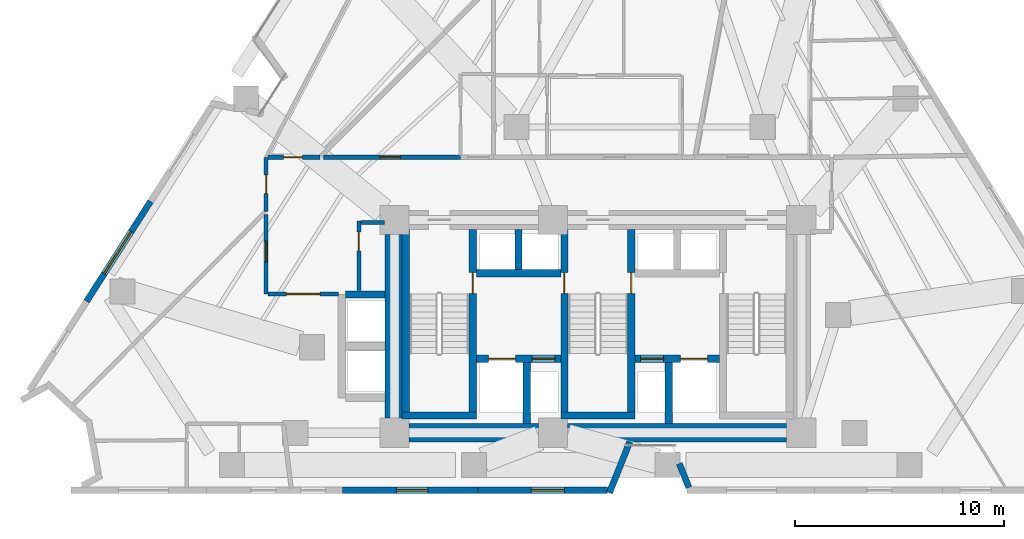
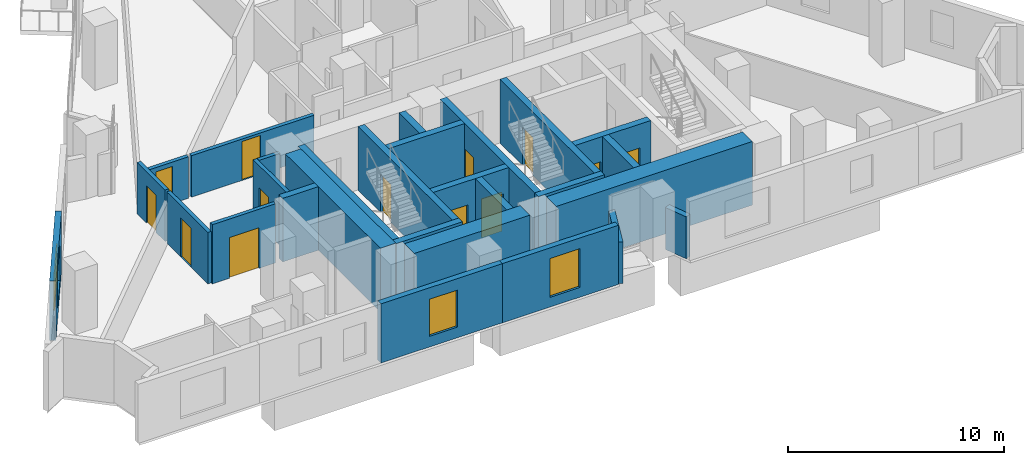
# One storey, part 6 of 13: 28 walls, 13 doors, 3 windows, 16 openings.
"""IFC4 building model written with IfcOpenShell, lengths in metres."""

import ifcopenshell
import ifcopenshell.guid

model = None  # the IFC model being written
_history = None  # IfcOwnerHistory: only IFC2X3 demands one
_inside = {}  # id of a spatial element -> (the spatial element, [elements in it])
_under = {}  # id of a project, library or spatial element -> (it, [spatial elements below it])
_declared = {}  # id of a project -> (the project, [libraries it declares])
_typed = {}  # id of a type object -> (the type object, [elements of that type])
_made_of = {}  # id of a material, layer set ... -> (it, [elements and type objects made of it])


def new_model(schema):
    """Start an empty IFC model of exactly this schema.

    Asked for "IFC4X3", IfcOpenShell would pick the latest addendum, in which some entities
    have other attributes; the version numbers below select the first issue.
    IFC2X3 requires an IfcOwnerHistory on every rooted entity: one is made here for all.
    """
    global model, _history
    if schema == "IFC4X3":
        model = ifcopenshell.file(schema_version=(4, 3, 0, 0))
    else:
        model = ifcopenshell.file(schema=schema)
    _inside.clear()
    _under.clear()
    _declared.clear()
    _typed.clear()
    _made_of.clear()
    _history = None
    if model.schema == "IFC2X3":
        org = make("IfcOrganization", Name="unknown")
        user = make(
            "IfcPersonAndOrganization",
            ThePerson=make("IfcPerson", FamilyName="unknown"),
            TheOrganization=org,
        )
        app = make(
            "IfcApplication",
            ApplicationDeveloper=org,
            Version="unknown",
            ApplicationFullName="unknown",
            ApplicationIdentifier="unknown",
        )
        _history = make(
            "IfcOwnerHistory",
            OwningUser=user,
            OwningApplication=app,
            ChangeAction="ADDED",
            CreationDate=0,
        )
    return model


def make(cls, **values):
    """One entity of the class cls with the attributes given. An attribute that is None is left unset."""
    return model.create_entity(
        cls, **{name: value for name, value in values.items() if value is not None}
    )


def rooted(cls, **values):
    """An entity with a GlobalId (a new one), such as an element, a storey or a relation."""
    return make(cls, GlobalId=ifcopenshell.guid.new(), OwnerHistory=_history, **values)


def si_unit(unit_type, name, prefix=None):
    """IfcSIUnit, for example si_unit("LENGTHUNIT", "METRE", prefix="MILLI")."""
    return make("IfcSIUnit", UnitType=unit_type, Prefix=prefix, Name=name)


def assignment(units):
    """IfcUnitAssignment: the units of a project."""
    return None if units is None else make("IfcUnitAssignment", Units=units)


def point(xyz):
    """IfcCartesianPoint."""
    return None if xyz is None else make("IfcCartesianPoint", Coordinates=xyz)


def direction(xyz):
    """IfcDirection."""
    return None if xyz is None else make("IfcDirection", DirectionRatios=xyz)


def frame(location, z_axis=None, x_axis=None):
    """IfcAxis2Placement3D, a coordinate frame: its origin and axes. An axis left out is left unset."""
    return make(
        "IfcAxis2Placement3D",
        Location=point(location),
        Axis=direction(z_axis),
        RefDirection=direction(x_axis),
    )


def frame_2d(location, x_axis=None):
    """IfcAxis2Placement2D, a coordinate frame in the plane: its origin and x axis."""
    return make(
        "IfcAxis2Placement2D", Location=point(location), RefDirection=direction(x_axis)
    )


def origin():
    """The frame at (0, 0, 0) with its axes left unset."""
    return frame((0.0, 0.0, 0.0))


def place(relative_to, where):
    """IfcLocalPlacement: puts the frame where relative to a parent placement (None: the world)."""
    return make(
        "IfcLocalPlacement", PlacementRelTo=relative_to, RelativePlacement=where
    )


def context(
    kind, dimensions, precision=None, world=None, true_north=None, identifier=None
):
    """IfcGeometricRepresentationContext, for example the 3D "Model" context."""
    return make(
        "IfcGeometricRepresentationContext",
        ContextIdentifier=identifier,
        ContextType=kind,
        CoordinateSpaceDimension=dimensions,
        Precision=precision,
        WorldCoordinateSystem=world,
        TrueNorth=true_north,
    )


def subcontext(parent, identifier, kind, view, scale=None):
    """IfcGeometricRepresentationSubContext, for example "Body" below "Model"."""
    return make(
        "IfcGeometricRepresentationSubContext",
        ContextIdentifier=identifier,
        ContextType=kind,
        ParentContext=parent,
        TargetScale=scale,
        TargetView=view,
    )


def project(units=None, contexts=None):
    """IfcProject with its units and contexts."""
    return rooted(
        "IfcProject",
        Name="project",
        RepresentationContexts=contexts,
        UnitsInContext=assignment(units),
    )


def spatial(cls, under=None, at=None, **own):
    """A site, building, storey or space (cls), placed at a placement, below another one or the project."""
    s = rooted(cls, ObjectPlacement=at, **own)
    if under is not None:
        _under.setdefault(under.id(), (under, []))[1].append(s)
    return s


def profile(cls, at=None, kind="AREA", **sizes):
    """A parametric profile (cls). Its sizes go by their IFC names, for example OverallWidth=200.0."""
    return make(cls, ProfileType=kind, Position=at, **sizes)


def rectangle(**sizes):
    """IfcRectangleProfileDef."""
    return profile("IfcRectangleProfileDef", **sizes)


def extrude(swept, where, along, depth):
    """IfcExtrudedAreaSolid: the profile swept, set in the frame where, extruded along a direction by depth."""
    return make(
        "IfcExtrudedAreaSolid",
        SweptArea=swept,
        Position=where,
        ExtrudedDirection=direction(along),
        Depth=depth,
    )


def shape(context_of_items, identifier, shape_type, items):
    """IfcShapeRepresentation: the items that make up one representation, for example the "Body"."""
    return make(
        "IfcShapeRepresentation",
        ContextOfItems=context_of_items,
        RepresentationIdentifier=identifier,
        RepresentationType=shape_type,
        Items=items,
    )


def material(Name=None, Category=None):
    """IfcMaterial."""
    return make("IfcMaterial", Name=Name, Category=Category)


def layer(
    of_material, thickness, ventilated=None, Name=None, Category=None, Priority=None
):
    """IfcMaterialLayer: one layer of a wall or slab, of a material (None: an air gap)."""
    return make(
        "IfcMaterialLayer",
        Material=of_material,
        LayerThickness=thickness,
        IsVentilated=ventilated,
        Name=Name,
        Category=Category,
        Priority=Priority,
    )


def layer_set(layers, Name=None):
    """IfcMaterialLayerSet."""
    return make("IfcMaterialLayerSet", MaterialLayers=layers, LayerSetName=Name)


def made_of(thing, what):
    """Note that an element or type object is made of a material, layer set ...; save() writes the relation."""
    if what is not None:
        _made_of.setdefault(what.id(), (what, []))[1].append(thing)
    return thing


def type_object(cls, material=None, **own):
    """A type object (cls), such as IfcWallType, which elements share."""
    return made_of(rooted(cls, **own), material)


def element(
    cls,
    number,
    at=None,
    inside=None,
    cuts=None,
    type_object=None,
    material=None,
    context=None,
    identifier="Body",
    shape_type=None,
    held_by="IfcProductDefinitionShape",
    body=None,
    shapes=None,
    **own,
):
    """One element of the class cls, such as IfcWall. Its Tag is "e" and its number.

    at: its placement. inside: the storey or other place that contains it. cuts: it is an
    opening in that element (IfcRelVoidsElement). A single representation is given by context,
    identifier, shape_type and body (its items); several are given by shapes. held_by: the class
    of the entity that holds the representations. save() writes the other relations.
    """
    e = rooted(cls, Tag="e%d" % number, ObjectPlacement=at, **own)
    if body is not None:
        shapes = [shape(context, identifier, shape_type, body)]
    if shapes is not None:
        e.Representation = make(held_by, Representations=shapes)
    if inside is not None:
        _inside.setdefault(inside.id(), (inside, []))[1].append(e)
    if cuts is not None:
        rooted(
            "IfcRelVoidsElement", RelatingBuildingElement=cuts, RelatedOpeningElement=e
        )
    if type_object is not None:
        _typed.setdefault(type_object.id(), (type_object, []))[1].append(e)
    return made_of(e, material)


def fill(opening, filler):
    """IfcRelFillsElement: the door or window that sits in an opening."""
    return rooted(
        "IfcRelFillsElement",
        RelatingOpeningElement=opening,
        RelatedBuildingElement=filler,
    )


def aggregate(whole, parts):
    """IfcRelAggregates: a whole, such as a stair, and the parts it consists of."""
    return rooted("IfcRelAggregates", RelatingObject=whole, RelatedObjects=parts)


def save(model, path):
    """Write the relations noted so far, then the file.

    IfcRelAggregates (storeys below a building ...), IfcRelContainedInSpatialStructure (elements
    in a storey), IfcRelDefinesByType, IfcRelAssociatesMaterial and IfcRelDeclares: one each for
    every whole, place, type object, material and project.
    """
    for whole, parts in _under.values():
        aggregate(whole, parts)
    for where, things in _inside.values():
        rooted(
            "IfcRelContainedInSpatialStructure",
            RelatedElements=things,
            RelatingStructure=where,
        )
    for kind, things in _typed.values():
        rooted("IfcRelDefinesByType", RelatedObjects=things, RelatingType=kind)
    for what, things in _made_of.values():
        rooted("IfcRelAssociatesMaterial", RelatedObjects=things, RelatingMaterial=what)
    for by, libraries in _declared.values():
        rooted("IfcRelDeclares", RelatingContext=by, RelatedDefinitions=libraries)
    model.write(path)


model = new_model("IFC4")

# Units and contexts
model_context = context("Model", 3, precision=1e-05, world=origin(), true_north=direction((0.0, 1.0)))
body_context = subcontext(model_context, "Body", "Model", "MODEL_VIEW")
ifc_project = project(units=[si_unit("LENGTHUNIT", "METRE"), si_unit("AREAUNIT", "SQUARE_METRE"), si_unit("VOLUMEUNIT", "CUBIC_METRE"), si_unit("PLANEANGLEUNIT", "RADIAN"), si_unit("MASSUNIT", "GRAM", prefix="KILO")], contexts=[model_context])

# Site, building, storey
site_placement = place(None, origin())
site = spatial("IfcSite", under=ifc_project, at=site_placement, CompositionType="ELEMENT")
building_placement = place(site_placement, origin())
building = spatial("IfcBuilding", under=site, at=building_placement, Name="Almagre Mirador Tower", CompositionType="ELEMENT")
storey_placement = place(building_placement, frame((0.0, 0.0, 75.0)))
storey = spatial("IfcBuildingStorey", under=building, at=storey_placement, Name="L18", CompositionType="ELEMENT", Elevation=75.0)

# Walls
ifc_material_1 = material(Name="Precast concrete C50/60", Category="concrete")
ifc_layer_1 = layer(ifc_material_1, 0.300048828125)
ifc_layer_set_1 = layer_set([ifc_layer_1], Name="Precast concrete C50/60")
wall_type_1 = type_object("IfcWallType", Name="WAL-EXT-300", PredefinedType="SOLIDWALL", material=ifc_layer_set_1)
wall_1_placement = place(storey_placement, frame((41.658203125, 1.92529296875, 0.0), z_axis=(0.0, 0.0, 1.0), x_axis=(-0.369583004586, 0.929197719929, 0.0)))
element("IfcWall", 1, at=wall_1_placement, inside=storey, type_object=wall_type_1, Name="L18 expressed almagre precast frame wall 25", PredefinedType="SOLIDWALL", context=body_context, shape_type="SweptSolid", body=[
    extrude(rectangle(XDim=1.234619140625, YDim=0.300048828125, at=frame_2d((0.6171875, 0.0))), origin(), (0.0, 0.0, 1.0), 2.375),
])
wall_2_placement = place(storey_placement, frame((38.83251953125, 4.124755859375, 0.0), z_axis=(0.0, 0.0, 1.0), x_axis=(-0.369557636099, -0.929207809696, 0.0)))
element("IfcWall", 2, at=wall_2_placement, inside=storey, type_object=wall_type_1, Name="L18 expressed almagre precast frame wall 26", PredefinedType="SOLIDWALL", context=body_context, shape_type="SweptSolid", body=[
    extrude(rectangle(XDim=2.641845703125, YDim=0.300048828125, at=frame_2d((1.32080078125, 0.0))), origin(), (0.0, 0.0, 1.0), 2.35009765625),
])

# Wall, opening, window
wall_3_placement = place(storey_placement, frame((37.77294921875, 1.800048828125, 0.0), z_axis=(0.0, 0.0, 1.0), x_axis=(-1.0, 0.0, 0.0)))
wall_3 = element("IfcWall", 3, at=wall_3_placement, inside=storey, type_object=wall_type_1, Name="L18 expressed almagre precast frame wall 27", PredefinedType="SOLIDWALL", context=body_context, shape_type="SweptSolid", body=[
    extrude(rectangle(XDim=6.221923828125, YDim=0.300048828125, at=frame_2d((3.11083984375, 0.0))), origin(), (0.0, 0.0, 1.0), 3.35009765625),
])
opening_1_placement = place(wall_3_placement, frame((2.074951171875, 0.0, 0.550048828125)))
opening_1 = element("IfcOpeningElement", 4, at=opening_1_placement, cuts=wall_3, Name="Opening WN-06", PredefinedType="OPENING", context=body_context, shape_type="SweptSolid", body=[
    extrude(rectangle(XDim=1.60009765625, YDim=2.199951171875, at=frame_2d((0.800048828125, 1.10009765625))), frame((0.0, 0.159902, 0.0), z_axis=(0.0, -1.0, 0.0), x_axis=(1.0, 0.0, 0.0)), (0.0, 0.0, 1.0), 0.320049),
])
ifc_material_2 = material(Name="Dark solar-control laminated hurricane glass", Category="glass")
window_type_1 = type_object("IfcWindowType", Name="WIN-1600X2200", PartitioningType="DOUBLE_PANEL_VERTICAL", PredefinedType="WINDOW", material=ifc_material_2)
window_1_placement = place(opening_1_placement, origin())
window_1 = element("IfcWindow", 5, at=window_1_placement, inside=storey, type_object=window_type_1, Name="L18 recessed hurricane window L18-RST-B", OverallHeight=2.199951171875, OverallWidth=1.60009765625, PartitioningType="SINGLE_PANEL", PredefinedType="WINDOW", context=body_context, shape_type="SweptSolid", body=[
    extrude(rectangle(XDim=1.60009765625, YDim=2.199951171875, at=frame_2d((0.800048828125, 1.10009765625))), frame((0.0, 0.030029296875, 0.0), z_axis=(0.0, -1.0, 0.0), x_axis=(1.0, 0.0, 0.0)), (0.0, 0.0, 1.0), 0.06005859375),
])
fill(opening_1, window_1)

wall_4_placement = place(storey_placement, frame((31.551025390625, 1.800048828125, 0.0), z_axis=(0.0, 0.0, 1.0), x_axis=(-1.0, 0.0, 0.0)))
wall_4 = element("IfcWall", 6, at=wall_4_placement, inside=storey, type_object=wall_type_1, Name="L18 expressed almagre precast frame wall 28", PredefinedType="SOLIDWALL", context=body_context, shape_type="SweptSolid", body=[
    extrude(rectangle(XDim=6.4970703125, YDim=0.300048828125, at=frame_2d((3.24853515625, 0.0))), origin(), (0.0, 0.0, 1.0), 3.35009765625),
])
opening_2_placement = place(wall_4_placement, frame((2.39990234375, 0.0, 0.60009765625)))
opening_2 = element("IfcOpeningElement", 7, at=opening_2_placement, cuts=wall_4, Name="Opening WN-03", PredefinedType="OPENING", context=body_context, shape_type="SweptSolid", body=[
    extrude(rectangle(XDim=1.5, YDim=2.10009765625, at=frame_2d((0.75, 1.050048828125))), frame((0.0, 0.159902, 0.0), z_axis=(0.0, -1.0, 0.0), x_axis=(1.0, 0.0, 0.0)), (0.0, 0.0, 1.0), 0.320049),
])
ifc_material_3 = material(Name="Dark solar-control laminated hurricane glass", Category="glass")
window_type_2 = type_object("IfcWindowType", Name="WIN-1500X2100", PartitioningType="DOUBLE_PANEL_VERTICAL", PredefinedType="WINDOW", material=ifc_material_3)
window_2_placement = place(opening_2_placement, origin())
window_2 = element("IfcWindow", 8, at=window_2_placement, inside=storey, type_object=window_type_2, Name="L18 recessed hurricane window L18-RST-B", OverallHeight=2.10009765625, OverallWidth=1.5, PartitioningType="SINGLE_PANEL", PredefinedType="WINDOW", context=body_context, shape_type="SweptSolid", body=[
    extrude(rectangle(XDim=1.5, YDim=2.10009765625, at=frame_2d((0.75, 1.050048828125))), frame((0.0, 0.030029296875, 0.0), z_axis=(0.0, -1.0, 0.0), x_axis=(1.0, 0.0, 0.0)), (0.0, 0.0, 1.0), 0.06005859375),
])
fill(opening_2, window_2)

wall_5_placement = place(storey_placement, frame((12.796875, 10.84765625, 0.0), z_axis=(0.0, 0.0, 1.0), x_axis=(0.539467898562, 0.842006167686, 0.0)))
wall_5 = element("IfcWall", 9, at=wall_5_placement, inside=storey, type_object=wall_type_1, Name="L18 expressed almagre precast frame wall 36", PredefinedType="SOLIDWALL", context=body_context, shape_type="SweptSolid", body=[
    extrude(rectangle(XDim=5.68603515625, YDim=0.300048828125, at=frame_2d((2.843017578125, 0.0))), origin(), (0.0, 0.0, 1.0), 3.35009765625),
])
opening_3_placement = place(wall_5_placement, frame((1.574951171875, 0.0, 0.60009765625)))
opening_3 = element("IfcOpeningElement", 10, at=opening_3_placement, cuts=wall_5, Name="Opening WN-02", PredefinedType="OPENING", context=body_context, shape_type="SweptSolid", body=[
    extrude(rectangle(XDim=2.39990234375, YDim=2.10009765625, at=frame_2d((1.199951171875, 1.050048828125))), frame((0.0, 0.159902, 0.0), z_axis=(0.0, -1.0, 0.0), x_axis=(1.0, 0.0, 0.0)), (0.0, 0.0, 1.0), 0.320049),
])
ifc_material_4 = material(Name="Dark solar-control laminated hurricane glass", Category="glass")
window_type_3 = type_object("IfcWindowType", Name="WIN-2400X2100", PartitioningType="TRIPLE_PANEL_VERTICAL", PredefinedType="WINDOW", material=ifc_material_4)
window_3_placement = place(opening_3_placement, origin())
window_3 = element("IfcWindow", 11, at=window_3_placement, inside=storey, type_object=window_type_3, Name="L18 recessed hurricane window L18-RST-E", OverallHeight=2.10009765625, OverallWidth=2.39990234375, PartitioningType="SINGLE_PANEL", PredefinedType="WINDOW", context=body_context, shape_type="SweptSolid", body=[
    extrude(rectangle(XDim=2.39990234375, YDim=2.10009765625, at=frame_2d((1.199951171875, 1.050048828125))), frame((0.0, 0.030029296875, 0.0), z_axis=(0.0, -1.0, 0.0), x_axis=(1.0, 0.0, 0.0)), (0.0, 0.0, 1.0), 0.06005859375),
])
fill(opening_3, window_3)

# Wall, opening, door
ifc_material_5 = material(Name="Gypsum acoustic stud partition", Category="other")
ifc_layer_2 = layer(ifc_material_5, 0.199951171875)
ifc_layer_set_2 = layer_set([ifc_layer_2], Name="Gypsum acoustic stud partition")
wall_type_2 = type_object("IfcWallType", Name="WAL-PRT-200-EI60", PredefinedType="PARTITIONING", material=ifc_layer_set_2)
wall_6_placement = place(storey_placement, frame((25.85009765625, 11.3701171875, 0.0), z_axis=(0.0, 0.0, 1.0), x_axis=(0.0, 1.0, 0.0)))
wall_6 = element("IfcWall", 12, at=wall_6_placement, inside=storey, type_object=wall_type_2, Name="L18 core ancillary west wall", PredefinedType="PARTITIONING", context=body_context, shape_type="SweptSolid", body=[
    extrude(rectangle(XDim=3.33984375, YDim=0.199951171875, at=frame_2d((1.669921875, 0.0))), origin(), (0.0, 0.0, 1.0), 3.35009765625),
])
opening_4_placement = place(wall_6_placement, frame((1.89990234375, 0.0, 0.0)))
opening_4 = element("IfcOpeningElement", 13, at=opening_4_placement, cuts=wall_6, Name="Opening ID-03", PredefinedType="OPENING", context=body_context, shape_type="SweptSolid", body=[
    extrude(rectangle(XDim=0.89990234375, YDim=2.10009765625, at=frame_2d((0.449951171875, 1.050048828125))), frame((0.0, 0.110098, 0.0), z_axis=(0.0, -1.0, 0.0), x_axis=(1.0, 0.0, 0.0)), (0.0, 0.0, 1.0), 0.219951),
])
ifc_material_6 = material(Name="Fire-rated hollow steel", Category="steel")
door_type_1 = type_object("IfcDoorType", Name="DOR-FD60-900X2100", OperationType="NOTDEFINED", PredefinedType="DOOR", material=ifc_material_6)
door_1_placement = place(opening_4_placement, origin())
door_1 = element("IfcDoor", 14, at=door_1_placement, inside=storey, type_object=door_type_1, Name="DR-0599 L18 core ancillary corridor door", OperationType="SINGLE_SWING_RIGHT", OverallHeight=2.10009765625, OverallWidth=0.89990234375, PredefinedType="DOOR", context=body_context, shape_type="SweptSolid", body=[
    extrude(rectangle(XDim=0.89990234375, YDim=2.10009765625, at=frame_2d((0.449951171875, 1.050048828125))), frame((0.0, 0.02490234375, 0.0), z_axis=(0.0, -1.0, 0.0), x_axis=(1.0, 0.0, 0.0)), (0.0, 0.0, 1.0), 0.050048828125),
])
fill(opening_4, door_1)

# Wall
wall_7_placement = place(storey_placement, frame((25.955078125, 14.6201171875, 0.0), z_axis=(0.0, 0.0, 1.0), x_axis=(1.0, 0.0, 0.0)))
element("IfcWall", 15, at=wall_7_placement, inside=storey, type_object=wall_type_2, Name="L18 core ancillary north wall", PredefinedType="PARTITIONING", context=body_context, shape_type="SweptSolid", body=[
    extrude(rectangle(XDim=1.1298828125, YDim=0.199951171875, at=frame_2d((0.56494140625, 0.0))), origin(), (0.0, 0.0, 1.0), 3.35009765625),
])

# Wall, opening, door
wall_8_placement = place(storey_placement, frame((21.39990234375, 15.0, 0.0), z_axis=(0.0, 0.0, 1.0), x_axis=(0.0, -1.0, 0.0)))
wall_8 = element("IfcWall", 16, at=wall_8_placement, inside=storey, type_object=wall_type_2, Name="L18 interior partition 001", PredefinedType="PARTITIONING", context=body_context, shape_type="SweptSolid", body=[
    extrude(rectangle(XDim=3.800048828125, YDim=0.199951171875, at=frame_2d((1.89990234375, 0.0))), origin(), (0.0, 0.0, 1.0), 2.910888671875),
])
opening_5_placement = place(wall_8_placement, frame((1.26171875, 0.0, 0.0)))
opening_5 = element("IfcOpeningElement", 17, at=opening_5_placement, cuts=wall_8, Name="Opening ID-01", PredefinedType="OPENING", context=body_context, shape_type="SweptSolid", body=[
    extrude(rectangle(XDim=1.0, YDim=2.199951171875, at=frame_2d((0.5, 1.10009765625))), frame((0.0, 0.110098, 0.0), z_axis=(0.0, -1.0, 0.0), x_axis=(1.0, 0.0, 0.0)), (0.0, 0.0, 1.0), 0.219951),
])
ifc_material_7 = material(Name="Fire-rated walnut timber", Category="wood")
door_type_2 = type_object("IfcDoorType", Name="DOR-FD60-1000X2200", OperationType="NOTDEFINED", PredefinedType="DOOR", material=ifc_material_7)
door_2_placement = place(opening_5_placement, origin())
door_2 = element("IfcDoor", 18, at=door_2_placement, inside=storey, type_object=door_type_2, Name="DR-0608 L18 interior door L18-RCOR to L18-UA-ST", OperationType="SINGLE_SWING_RIGHT", OverallHeight=2.199951171875, OverallWidth=1.0, PredefinedType="DOOR", context=body_context, shape_type="SweptSolid", body=[
    extrude(rectangle(XDim=1.0, YDim=2.199951171875, at=frame_2d((0.5, 1.10009765625))), frame((0.0, 0.02490234375, 0.0), z_axis=(0.0, -1.0, 0.0), x_axis=(1.0, 0.0, 0.0)), (0.0, 0.0, 1.0), 0.050048828125),
])
fill(opening_5, door_2)

wall_9_placement = place(storey_placement, frame((21.485107421875, 11.199951171875, 0.0), z_axis=(0.0, 0.0, 1.0), x_axis=(1.0, 0.0, 0.0)))
wall_9 = element("IfcWall", 19, at=wall_9_placement, inside=storey, type_object=wall_type_2, Name="L18 interior partition 002", PredefinedType="PARTITIONING", context=body_context, shape_type="SweptSolid", body=[
    extrude(rectangle(XDim=3.384033203125, YDim=0.199951171875, at=frame_2d((1.69189453125, 0.0))), origin(), (0.0, 0.0, 1.0), 3.35009765625),
])
opening_6_placement = place(wall_9_placement, frame((0.905029296875, 0.0, 0.0)))
opening_6 = element("IfcOpeningElement", 20, at=opening_6_placement, cuts=wall_9, Name="Opening ID-05", PredefinedType="OPENING", context=body_context, shape_type="SweptSolid", body=[
    extrude(rectangle(XDim=1.60009765625, YDim=2.300048828125, at=frame_2d((0.800048828125, 1.14990234375))), frame((0.0, 0.110098, 0.0), z_axis=(0.0, -1.0, 0.0), x_axis=(1.0, 0.0, 0.0)), (0.0, 0.0, 1.0), 0.219951),
])
ifc_material_8 = material(Name="Fire-rated acoustic timber", Category="wood")
door_type_3 = type_object("IfcDoorType", Name="DOR-FD60-1600X2300", OperationType="DOUBLE_DOOR_SINGLE_SWING", PredefinedType="DOOR", material=ifc_material_8)
door_3_placement = place(opening_6_placement, origin())
door_3 = element("IfcDoor", 21, at=door_3_placement, inside=storey, type_object=door_type_3, Name="DR-0604 L18 interior door L18-RCOR to L18-RST-B", OperationType="DOUBLE_DOOR_SINGLE_SWING", OverallHeight=2.300048828125, OverallWidth=1.60009765625, PredefinedType="DOOR", context=body_context, shape_type="SweptSolid", body=[
    extrude(rectangle(XDim=1.60009765625, YDim=2.300048828125, at=frame_2d((0.800048828125, 1.14990234375))), frame((0.0, 0.02490234375, 0.0), z_axis=(0.0, -1.0, 0.0), x_axis=(1.0, 0.0, 0.0)), (0.0, 0.0, 1.0), 0.050048828125),
])
fill(opening_6, door_3)

wall_10_placement = place(storey_placement, frame((21.39990234375, 17.75, 0.0), z_axis=(0.0, 0.0, 1.0), x_axis=(0.0, -1.0, 0.0)))
wall_10 = element("IfcWall", 22, at=wall_10_placement, inside=storey, type_object=wall_type_2, Name="L18 interior partition 006", PredefinedType="PARTITIONING", context=body_context, shape_type="SweptSolid", body=[
    extrude(rectangle(XDim=2.590087890625, YDim=0.199951171875, at=frame_2d((1.294921875, 0.0))), origin(), (0.0, 0.0, 1.0), 2.910888671875),
])
opening_7_placement = place(wall_10_placement, frame((0.844970703125, 0.0, 0.0)))
opening_7 = element("IfcOpeningElement", 23, at=opening_7_placement, cuts=wall_10, Name="Opening ID-03", PredefinedType="OPENING", context=body_context, shape_type="SweptSolid", body=[
    extrude(rectangle(XDim=0.89990234375, YDim=2.10009765625, at=frame_2d((0.449951171875, 1.050048828125))), frame((0.0, 0.110098, 0.0), z_axis=(0.0, -1.0, 0.0), x_axis=(1.0, 0.0, 0.0)), (0.0, 0.0, 1.0), 0.219951),
])
door_4_placement = place(opening_7_placement, origin())
door_4 = element("IfcDoor", 24, at=door_4_placement, inside=storey, type_object=door_type_1, Name="DR-0606 L18 interior door L18-RCOR to L18-RST-E", OperationType="SINGLE_SWING_RIGHT", OverallHeight=2.10009765625, OverallWidth=0.89990234375, PredefinedType="DOOR", context=body_context, shape_type="SweptSolid", body=[
    extrude(rectangle(XDim=0.89990234375, YDim=2.10009765625, at=frame_2d((0.449951171875, 1.050048828125))), frame((0.0, 0.02490234375, 0.0), z_axis=(0.0, -1.0, 0.0), x_axis=(1.0, 0.0, 0.0)), (0.0, 0.0, 1.0), 0.050048828125),
])
fill(opening_7, door_4)

wall_11_placement = place(storey_placement, frame((30.719970703125, 17.75, 0.0), z_axis=(0.0, 0.0, 1.0), x_axis=(-1.0, 0.0, 0.0)))
wall_11 = element("IfcWall", 25, at=wall_11_placement, inside=storey, type_object=wall_type_2, Name="L18 interior partition 007", PredefinedType="PARTITIONING", context=body_context, shape_type="SweptSolid", body=[
    extrude(rectangle(XDim=6.570068359375, YDim=0.199951171875, at=frame_2d((3.28515625, 0.0))), origin(), (0.0, 0.0, 1.0), 2.344970703125),
])
opening_8_placement = place(wall_11_placement, frame((2.864990234375, 0.0, 0.0)))
opening_8 = element("IfcOpeningElement", 26, at=opening_8_placement, cuts=wall_11, Name="Opening ID-01", PredefinedType="OPENING", context=body_context, shape_type="SweptSolid", body=[
    extrude(rectangle(XDim=1.0, YDim=2.199951171875, at=frame_2d((0.5, 1.10009765625))), frame((0.0, 0.110098, 0.0), z_axis=(0.0, -1.0, 0.0), x_axis=(1.0, 0.0, 0.0)), (0.0, 0.0, 1.0), 0.219951),
])
door_5_placement = place(opening_8_placement, origin())
door_5 = element("IfcDoor", 27, at=door_5_placement, inside=storey, type_object=door_type_2, Name="DR-0609 L18 interior door L18-RCOR to L18-UF-ST", OperationType="SINGLE_SWING_RIGHT", OverallHeight=2.199951171875, OverallWidth=1.0, PredefinedType="DOOR", context=body_context, shape_type="SweptSolid", body=[
    extrude(rectangle(XDim=1.0, YDim=2.199951171875, at=frame_2d((0.5, 1.10009765625))), frame((0.0, 0.02490234375, 0.0), z_axis=(0.0, -1.0, 0.0), x_axis=(1.0, 0.0, 0.0)), (0.0, 0.0, 1.0), 0.050048828125),
])
fill(opening_8, door_5)

wall_12_placement = place(storey_placement, frame((23.989990234375, 17.75, 0.0), z_axis=(0.0, 0.0, 1.0), x_axis=(-1.0, 0.0, 0.0)))
wall_12 = element("IfcWall", 28, at=wall_12_placement, inside=storey, type_object=wall_type_2, Name="L18 interior partition 009", PredefinedType="PARTITIONING", context=body_context, shape_type="SweptSolid", body=[
    extrude(rectangle(XDim=2.5048828125, YDim=0.199951171875, at=frame_2d((1.25244140625, 0.0))), origin(), (0.0, 0.0, 1.0), 2.344970703125),
])
opening_9_placement = place(wall_12_placement, frame((0.844970703125, 0.0, 0.0)))
opening_9 = element("IfcOpeningElement", 29, at=opening_9_placement, cuts=wall_12, Name="Opening ID-03", PredefinedType="OPENING", context=body_context, shape_type="SweptSolid", body=[
    extrude(rectangle(XDim=0.89990234375, YDim=2.10009765625, at=frame_2d((0.449951171875, 1.050048828125))), frame((0.0, 0.110098, 0.0), z_axis=(0.0, -1.0, 0.0), x_axis=(1.0, 0.0, 0.0)), (0.0, 0.0, 1.0), 0.219951),
])
door_6_placement = place(opening_9_placement, origin())
door_6 = element("IfcDoor", 30, at=door_6_placement, inside=storey, type_object=door_type_1, Name="DR-0607 L18 interior door L18-RCOR to L18-RST-G", OperationType="SINGLE_SWING_LEFT", OverallHeight=2.10009765625, OverallWidth=0.89990234375, PredefinedType="DOOR", context=body_context, shape_type="SweptSolid", body=[
    extrude(rectangle(XDim=0.89990234375, YDim=2.10009765625, at=frame_2d((0.449951171875, 1.050048828125))), frame((0.0, 0.02490234375, 0.0), z_axis=(0.0, -1.0, 0.0), x_axis=(1.0, 0.0, 0.0)), (0.0, 0.0, 1.0), 0.050048828125),
])
fill(opening_9, door_6)

# Wall
ifc_material_9 = material(Name="Concrete C60/75", Category="concrete")
ifc_layer_3 = layer(ifc_material_9, 0.35009765625)
ifc_layer_set_3 = layer_set([ifc_layer_3], Name="Concrete C60/75")
wall_type_3 = type_object("IfcWallType", Name="WAL-SHF-350", PredefinedType="SOLIDWALL", material=ifc_layer_set_3)
wall_13_placement = place(storey_placement, frame((28.10009765625, 5.199951171875, 0.0), z_axis=(0.0, 0.0, 1.0), x_axis=(0.0, 1.0, 0.0)))
element("IfcWall", 31, at=wall_13_placement, inside=storey, type_object=wall_type_3, Name="L18 shaft wall ST1-W", PredefinedType="SOLIDWALL", context=body_context, shape_type="SweptSolid", body=[
    extrude(rectangle(XDim=9.10009765625, YDim=0.35009765625, at=frame_2d((4.550048828125, 0.0))), origin(), (0.0, 0.0, 1.0), 3.60009765625),
])

# Wall, opening, door
wall_14_placement = place(storey_placement, frame((31.300048828125, 5.199951171875, 0.0), z_axis=(0.0, 0.0, 1.0), x_axis=(0.0, 1.0, 0.0)))
wall_14 = element("IfcWall", 32, at=wall_14_placement, inside=storey, type_object=wall_type_3, Name="L18 shaft wall ST1-E", PredefinedType="SOLIDWALL", context=body_context, shape_type="SweptSolid", body=[
    extrude(rectangle(XDim=9.10009765625, YDim=0.35009765625, at=frame_2d((4.550048828125, 0.0))), origin(), (0.0, 0.0, 1.0), 3.60009765625),
])
opening_10_placement = place(wall_14_placement, frame((6.02001953125, 0.0, 0.0)))
opening_10 = element("IfcOpeningElement", 33, at=opening_10_placement, cuts=wall_14, Name="Opening FD-01", PredefinedType="OPENING", context=body_context, shape_type="SweptSolid", body=[
    extrude(rectangle(XDim=1.0, YDim=2.14990234375, at=frame_2d((0.5, 1.074951171875))), frame((0.0, 0.185049, 0.0), z_axis=(0.0, -1.0, 0.0), x_axis=(1.0, 0.0, 0.0)), (0.0, 0.0, 1.0), 0.370098),
])
ifc_material_10 = material(Name="Fire-rated hollow steel", Category="steel")
door_type_4 = type_object("IfcDoorType", Name="DOR-FFL-1000X2150", OperationType="NOTDEFINED", PredefinedType="DOOR", material=ifc_material_10)
door_7_placement = place(opening_10_placement, origin())
door_7 = element("IfcDoor", 34, at=door_7_placement, inside=storey, type_object=door_type_4, Name="DR-0600 L18 FFL1-ST1 smokeproof door", OperationType="SINGLE_SWING_RIGHT", OverallHeight=2.14990234375, OverallWidth=1.0, PredefinedType="DOOR", context=body_context, shape_type="SweptSolid", body=[
    extrude(rectangle(XDim=1.0, YDim=2.14990234375, at=frame_2d((0.5, 1.074951171875))), frame((0.0, 0.02490234375, 0.0), z_axis=(0.0, -1.0, 0.0), x_axis=(1.0, 0.0, 0.0)), (0.0, 0.0, 1.0), 0.050048828125),
])
fill(opening_10, door_7)

# Wall
wall_15_placement = place(storey_placement, frame((27.925048828125, 5.375, 0.0), z_axis=(0.0, 0.0, 1.0), x_axis=(1.0, 0.0, 0.0)))
element("IfcWall", 35, at=wall_15_placement, inside=storey, type_object=wall_type_3, Name="L18 shaft wall ST1-S", PredefinedType="SOLIDWALL", context=body_context, shape_type="SweptSolid", body=[
    extrude(rectangle(XDim=3.550048828125, YDim=0.35009765625, at=frame_2d((1.77490234375, 0.0))), origin(), (0.0, 0.0, 1.0), 3.60009765625),
])

# Wall, opening, door
wall_16_placement = place(storey_placement, frame((35.699951171875, 5.199951171875, 0.0), z_axis=(0.0, 0.0, 1.0), x_axis=(0.0, 1.0, 0.0)))
wall_16 = element("IfcWall", 36, at=wall_16_placement, inside=storey, type_object=wall_type_3, Name="L18 shaft wall ST2-W", PredefinedType="SOLIDWALL", context=body_context, shape_type="SweptSolid", body=[
    extrude(rectangle(XDim=9.10009765625, YDim=0.35009765625, at=frame_2d((4.550048828125, 0.0))), origin(), (0.0, 0.0, 1.0), 3.60009765625),
])
opening_11_placement = place(wall_16_placement, frame((6.02001953125, 0.0, 0.0)))
opening_11 = element("IfcOpeningElement", 37, at=opening_11_placement, cuts=wall_16, Name="Opening FD-01", PredefinedType="OPENING", context=body_context, shape_type="SweptSolid", body=[
    extrude(rectangle(XDim=1.0, YDim=2.14990234375, at=frame_2d((0.5, 1.074951171875))), frame((0.0, 0.185049, 0.0), z_axis=(0.0, -1.0, 0.0), x_axis=(1.0, 0.0, 0.0)), (0.0, 0.0, 1.0), 0.370098),
])
door_8_placement = place(opening_11_placement, origin())
door_8 = element("IfcDoor", 38, at=door_8_placement, inside=storey, type_object=door_type_4, Name="DR-0601 L18 FFL1-ST2 smokeproof door", OperationType="SINGLE_SWING_LEFT", OverallHeight=2.14990234375, OverallWidth=1.0, PredefinedType="DOOR", context=body_context, shape_type="SweptSolid", body=[
    extrude(rectangle(XDim=1.0, YDim=2.14990234375, at=frame_2d((0.5, 1.074951171875))), frame((0.0, 0.02490234375, 0.0), z_axis=(0.0, -1.0, 0.0), x_axis=(1.0, 0.0, 0.0)), (0.0, 0.0, 1.0), 0.050048828125),
])
fill(opening_11, door_8)

wall_17_placement = place(storey_placement, frame((38.89990234375, 5.199951171875, 0.0), z_axis=(0.0, 0.0, 1.0), x_axis=(0.0, 1.0, 0.0)))
wall_17 = element("IfcWall", 39, at=wall_17_placement, inside=storey, type_object=wall_type_3, Name="L18 shaft wall ST2-E", PredefinedType="SOLIDWALL", context=body_context, shape_type="SweptSolid", body=[
    extrude(rectangle(XDim=9.10009765625, YDim=0.35009765625, at=frame_2d((4.550048828125, 0.0))), origin(), (0.0, 0.0, 1.0), 3.60009765625),
])
opening_12_placement = place(wall_17_placement, frame((6.02001953125, 0.0, 0.0)))
opening_12 = element("IfcOpeningElement", 40, at=opening_12_placement, cuts=wall_17, Name="Opening FD-01", PredefinedType="OPENING", context=body_context, shape_type="SweptSolid", body=[
    extrude(rectangle(XDim=1.0, YDim=2.14990234375, at=frame_2d((0.5, 1.074951171875))), frame((0.0, 0.185049, 0.0), z_axis=(0.0, -1.0, 0.0), x_axis=(1.0, 0.0, 0.0)), (0.0, 0.0, 1.0), 0.370098),
])
door_9_placement = place(opening_12_placement, origin())
door_9 = element("IfcDoor", 41, at=door_9_placement, inside=storey, type_object=door_type_4, Name="DR-0602 L18 FFL2-ST2 smokeproof door", OperationType="SINGLE_SWING_RIGHT", OverallHeight=2.14990234375, OverallWidth=1.0, PredefinedType="DOOR", context=body_context, shape_type="SweptSolid", body=[
    extrude(rectangle(XDim=1.0, YDim=2.14990234375, at=frame_2d((0.5, 1.074951171875))), frame((0.0, 0.02490234375, 0.0), z_axis=(0.0, -1.0, 0.0), x_axis=(1.0, 0.0, 0.0)), (0.0, 0.0, 1.0), 0.050048828125),
])
fill(opening_12, door_9)

# Wall
wall_18_placement = place(storey_placement, frame((35.52490234375, 5.375, 0.0), z_axis=(0.0, 0.0, 1.0), x_axis=(1.0, 0.0, 0.0)))
element("IfcWall", 42, at=wall_18_placement, inside=storey, type_object=wall_type_3, Name="L18 shaft wall ST2-S", PredefinedType="SOLIDWALL", context=body_context, shape_type="SweptSolid", body=[
    extrude(rectangle(XDim=3.550048828125, YDim=0.35009765625, at=frame_2d((1.77490234375, 0.0))), origin(), (0.0, 0.0, 1.0), 3.60009765625),
])

# Wall, openings, doors
wall_19_placement = place(storey_placement, frame((31.47509765625, 8.10009765625, 0.0), z_axis=(0.0, 0.0, 1.0), x_axis=(1.0, 0.0, 0.0)))
wall_19 = element("IfcWall", 43, at=wall_19_placement, inside=storey, type_object=wall_type_3, Name="L18 shaft wall FSAE1-N", PredefinedType="SOLIDWALL", context=body_context, shape_type="SweptSolid", body=[
    extrude(rectangle(XDim=4.0498046875, YDim=0.35009765625, at=frame_2d((2.02490234375, 0.0))), origin(), (0.0, 0.0, 1.0), 3.60009765625),
])
opening_13_placement = place(wall_19_placement, frame((0.574951171875, 0.0, 0.0)))
opening_13 = element("IfcOpeningElement", 44, at=opening_13_placement, cuts=wall_19, Name="Opening LD-03", PredefinedType="OPENING", context=body_context, shape_type="SweptSolid", body=[
    extrude(rectangle(XDim=1.300048828125, YDim=2.25, at=frame_2d((0.64990234375, 1.125))), frame((0.0, 0.185049, 0.0), z_axis=(0.0, -1.0, 0.0), x_axis=(1.0, 0.0, 0.0)), (0.0, 0.0, 1.0), 0.370098),
])
opening_14_placement = place(wall_19_placement, frame((2.675048828125, 0.0, 0.0)))
opening_14 = element("IfcOpeningElement", 45, at=opening_14_placement, cuts=wall_19, Name="Opening LD-01", PredefinedType="OPENING", context=body_context, shape_type="SweptSolid", body=[
    extrude(rectangle(XDim=1.10009765625, YDim=2.199951171875, at=frame_2d((0.550048828125, 1.10009765625))), frame((0.0, 0.185049, 0.0), z_axis=(0.0, -1.0, 0.0), x_axis=(1.0, 0.0, 0.0)), (0.0, 0.0, 1.0), 0.370098),
])
ifc_material_11 = material(Name="Hollow stainless steel", Category="steel")
door_type_5 = type_object("IfcDoorType", Name="DOR-LD-1100X2200", OperationType="DOUBLE_DOOR_SLIDING", PredefinedType="DOOR", material=ifc_material_11)
door_10_placement = place(opening_14_placement, origin())
door_10 = element("IfcDoor", 46, at=door_10_placement, inside=storey, type_object=door_type_5, Name="DR-0631 L18 PL-L1 lift landing door", OperationType="DOUBLE_DOOR_SLIDING", OverallHeight=2.199951171875, OverallWidth=1.10009765625, PredefinedType="DOOR", context=body_context, shape_type="SweptSolid", body=[
    extrude(rectangle(XDim=1.10009765625, YDim=2.199951171875, at=frame_2d((0.550048828125, 1.10009765625))), frame((0.0, 0.02490234375, 0.0), z_axis=(0.0, -1.0, 0.0), x_axis=(1.0, 0.0, 0.0)), (0.0, 0.0, 1.0), 0.050048828125),
])
fill(opening_14, door_10)
ifc_material_12 = material(Name="Hollow stainless steel", Category="steel")
door_type_6 = type_object("IfcDoorType", Name="DOR-LD-1300X2250", OperationType="DOUBLE_DOOR_SLIDING", PredefinedType="DOOR", material=ifc_material_12)
door_11_placement = place(opening_13_placement, origin())
door_11 = element("IfcDoor", 47, at=door_11_placement, inside=storey, type_object=door_type_6, Name="DR-0629 L18 FSAE-1 lift landing door", OperationType="DOUBLE_DOOR_SLIDING", OverallHeight=2.25, OverallWidth=1.300048828125, PredefinedType="DOOR", context=body_context, shape_type="SweptSolid", body=[
    extrude(rectangle(XDim=1.300048828125, YDim=2.25, at=frame_2d((0.64990234375, 1.125))), frame((0.0, 0.02490234375, 0.0), z_axis=(0.0, -1.0, 0.0), x_axis=(1.0, 0.0, 0.0)), (0.0, 0.0, 1.0), 0.050048828125),
])
fill(opening_13, door_11)

wall_20_placement = place(storey_placement, frame((39.074951171875, 8.10009765625, 0.0), z_axis=(0.0, 0.0, 1.0), x_axis=(1.0, 0.0, 0.0)))
wall_20 = element("IfcWall", 48, at=wall_20_placement, inside=storey, type_object=wall_type_3, Name="L18 shaft wall FSAE2-N", PredefinedType="SOLIDWALL", context=body_context, shape_type="SweptSolid", body=[
    extrude(rectangle(XDim=4.050048828125, YDim=0.35009765625, at=frame_2d((2.02490234375, 0.0))), origin(), (0.0, 0.0, 1.0), 3.60009765625),
])
opening_15_placement = place(wall_20_placement, frame((2.175048828125, 0.0, 0.0)))
opening_15 = element("IfcOpeningElement", 49, at=opening_15_placement, cuts=wall_20, Name="Opening LD-03", PredefinedType="OPENING", context=body_context, shape_type="SweptSolid", body=[
    extrude(rectangle(XDim=1.300048828125, YDim=2.25, at=frame_2d((0.64990234375, 1.125))), frame((0.0, 0.185049, 0.0), z_axis=(0.0, -1.0, 0.0), x_axis=(1.0, 0.0, 0.0)), (0.0, 0.0, 1.0), 0.370098),
])
opening_16_placement = place(wall_20_placement, frame((0.27490234375, 0.0, 0.0)))
opening_16 = element("IfcOpeningElement", 50, at=opening_16_placement, cuts=wall_20, Name="Opening LD-01", PredefinedType="OPENING", context=body_context, shape_type="SweptSolid", body=[
    extrude(rectangle(XDim=1.10009765625, YDim=2.199951171875, at=frame_2d((0.550048828125, 1.10009765625))), frame((0.0, 0.185049, 0.0), z_axis=(0.0, -1.0, 0.0), x_axis=(1.0, 0.0, 0.0)), (0.0, 0.0, 1.0), 0.370098),
])
door_12_placement = place(opening_16_placement, origin())
door_12 = element("IfcDoor", 51, at=door_12_placement, inside=storey, type_object=door_type_5, Name="DR-0632 L18 PL-L2 lift landing door", OperationType="DOUBLE_DOOR_SLIDING", OverallHeight=2.199951171875, OverallWidth=1.10009765625, PredefinedType="DOOR", context=body_context, shape_type="SweptSolid", body=[
    extrude(rectangle(XDim=1.10009765625, YDim=2.199951171875, at=frame_2d((0.550048828125, 1.10009765625))), frame((0.0, 0.02490234375, 0.0), z_axis=(0.0, -1.0, 0.0), x_axis=(1.0, 0.0, 0.0)), (0.0, 0.0, 1.0), 0.050048828125),
])
fill(opening_16, door_12)
door_13_placement = place(opening_15_placement, origin())
door_13 = element("IfcDoor", 52, at=door_13_placement, inside=storey, type_object=door_type_6, Name="DR-0630 L18 FSAE-2 lift landing door", OperationType="DOUBLE_DOOR_SLIDING", OverallHeight=2.25, OverallWidth=1.300048828125, PredefinedType="DOOR", context=body_context, shape_type="SweptSolid", body=[
    extrude(rectangle(XDim=1.300048828125, YDim=2.25, at=frame_2d((0.64990234375, 1.125))), frame((0.0, 0.02490234375, 0.0), z_axis=(0.0, -1.0, 0.0), x_axis=(1.0, 0.0, 0.0)), (0.0, 0.0, 1.0), 0.050048828125),
])
fill(opening_15, door_13)

# Walls
for number, where, z_axis, x_axis, name in (
    (53, (33.89990234375, 5.0, 0.0), (0.0, 0.0, 1.0), (0.0, 1.0, 0.0), "L18 shaft wall FSAE1-E"),
    (54, (40.699951171875, 5.0, 0.0), (0.0, 0.0, 1.0), (0.0, 1.0, 0.0), "L18 shaft wall FSAE2-W"),
):
    element("IfcWall", number, at=place(storey_placement, frame(where, z_axis=z_axis, x_axis=x_axis)), inside=storey, type_object=wall_type_3, Name=name, PredefinedType="SOLIDWALL", context=body_context, shape_type="SweptSolid", body=[
        extrude(rectangle(XDim=2.925048828125, YDim=0.35009765625, at=frame_2d((1.46240234375, 0.0))), origin(), (0.0, 0.0, 1.0), 3.60009765625),
    ])
wall_21_placement = place(storey_placement, frame((31.47509765625, 12.199951171875, 0.0), z_axis=(0.0, 0.0, 1.0), x_axis=(1.0, 0.0, 0.0)))
element("IfcWall", 55, at=wall_21_placement, inside=storey, type_object=wall_type_3, Name="L18 shaft wall PLM-S", PredefinedType="SOLIDWALL", context=body_context, shape_type="SweptSolid", body=[
    extrude(rectangle(XDim=4.0498046875, YDim=0.35009765625, at=frame_2d((2.02490234375, 0.0))), origin(), (0.0, 0.0, 1.0), 3.60009765625),
])
wall_22_placement = place(storey_placement, frame((33.5, 12.375, 0.0), z_axis=(0.0, 0.0, 1.0), x_axis=(0.0, 1.0, 0.0)))
element("IfcWall", 56, at=wall_22_placement, inside=storey, type_object=wall_type_3, Name="L18 shaft wall PLM-M", PredefinedType="SOLIDWALL", context=body_context, shape_type="SweptSolid", body=[
    extrude(rectangle(XDim=1.925048828125, YDim=0.35009765625, at=frame_2d((0.96240234375, 0.0))), origin(), (0.0, 0.0, 1.0), 3.60009765625),
])
wall_23_placement = place(storey_placement, frame((25.199951171875, 11.175048828125, 0.0), z_axis=(0.0, 0.0, 1.0), x_axis=(1.0, 0.0, 0.0)))
element("IfcWall", 57, at=wall_23_placement, inside=storey, type_object=wall_type_3, Name="L18 shaft wall OL-N", PredefinedType="SOLIDWALL", context=body_context, shape_type="SweptSolid", body=[
    extrude(rectangle(XDim=1.900146484375, YDim=0.35009765625, at=frame_2d((0.9501953125, 0.0))), origin(), (0.0, 0.0, 1.0), 3.60009765625),
])
ifc_material_13 = material(Name="Concrete C70/85", Category="concrete")
ifc_layer_4 = layer(ifc_material_13, 0.89990234375)
ifc_layer_set_4 = layer_set([ifc_layer_4], Name="Concrete C70/85")
wall_type_4 = type_object("IfcWallType", Name="WAL-SHR-900", PredefinedType="SHEAR", material=ifc_layer_set_4)
wall_24_placement = place(storey_placement, frame((28.25, 4.550048828125, 0.0), z_axis=(0.0, 0.0, 1.0), x_axis=(1.0, 0.0, 0.0)))
element("IfcWall", 58, at=wall_24_placement, inside=storey, type_object=wall_type_4, Name="L18 core shear wall S1", PredefinedType="SHEAR", context=body_context, shape_type="SweptSolid", body=[
    extrude(rectangle(XDim=6.199951171875, YDim=0.89990234375, at=frame_2d((3.10009765625, 0.0))), origin(), (0.0, 0.0, 1.0), 3.60009765625),
])
wall_25_placement = place(storey_placement, frame((35.85009765625, 4.550048828125, 0.0), z_axis=(0.0, 0.0, 1.0), x_axis=(1.0, 0.0, 0.0)))
element("IfcWall", 59, at=wall_25_placement, inside=storey, type_object=wall_type_4, Name="L18 core shear wall S2", PredefinedType="SHEAR", context=body_context, shape_type="SweptSolid", body=[
    extrude(rectangle(XDim=10.5, YDim=0.89990234375, at=frame_2d((5.25, 0.0))), origin(), (0.0, 0.0, 1.0), 3.60009765625),
])
wall_26_placement = place(storey_placement, frame((27.550048828125, 5.25, 0.0), z_axis=(0.0, 0.0, 1.0), x_axis=(0.0, 1.0, 0.0)))
element("IfcWall", 60, at=wall_26_placement, inside=storey, type_object=wall_type_4, Name="L18 core shear wall W1", PredefinedType="SHEAR", context=body_context, shape_type="SweptSolid", body=[
    extrude(rectangle(XDim=8.800048828125, YDim=0.89990234375, at=frame_2d((4.39990234375, 0.0))), origin(), (0.0, 0.0, 1.0), 3.60009765625),
])

save(model, "model.ifc")
